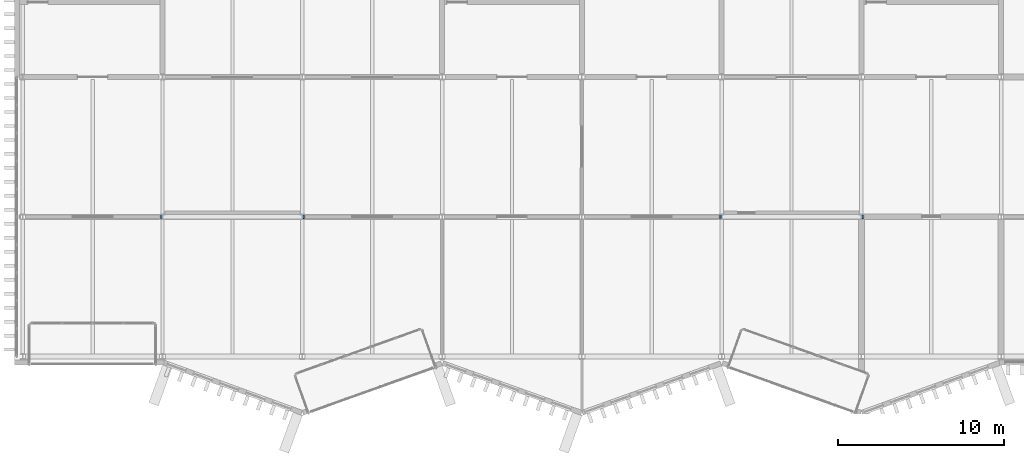
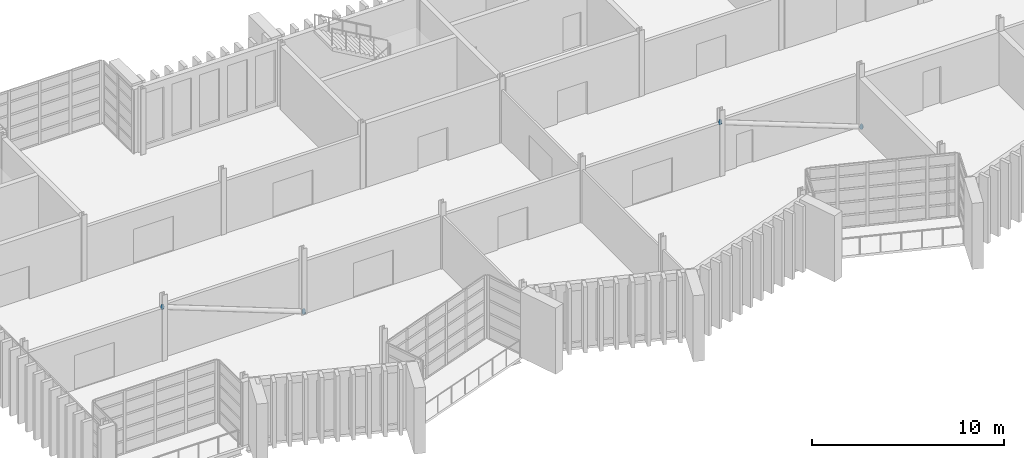
# One storey, part 82 of 100: 4 discrete accessories.
"""IFC4 building model written with IfcOpenShell, lengths in metres."""

from ifc_helpers import new_model, si_unit, direction, frame, origin, origin_2d, place, context, subcontext, project, spatial, circle, extrude, material, layer, layer_set, type_object, element, save


model = new_model("IFC4")

# Units and contexts
model_context = context("Model", 3, precision=1e-05, world=origin(), true_north=direction((0.0, 1.0)))
body_context = subcontext(model_context, "Body", "Model", "MODEL_VIEW")
ifc_project = project(units=[si_unit("LENGTHUNIT", "METRE"), si_unit("AREAUNIT", "SQUARE_METRE"), si_unit("VOLUMEUNIT", "CUBIC_METRE"), si_unit("PLANEANGLEUNIT", "RADIAN"), si_unit("MASSUNIT", "GRAM", prefix="KILO")], contexts=[model_context])

# Site, building, storey
site_placement = place(None, origin())
site = spatial("IfcSite", under=ifc_project, at=site_placement, CompositionType="ELEMENT")
building_placement = place(site_placement, origin())
building = spatial("IfcBuilding", under=site, at=building_placement, Name="Cresset Court Congress Hotel", CompositionType="ELEMENT")
storey_placement = place(building_placement, frame((0.0, 0.0, 10.199951171875)))
storey = spatial("IfcBuildingStorey", under=building, at=storey_placement, Name="L02", CompositionType="ELEMENT", Elevation=10.199951171875)

# Discrete accessories
ifc_material = material(Name="Structural steel Q355B", Category="steel")
ifc_layer = layer(ifc_material, 0.01611328125)
ifc_layer_set = layer_set([ifc_layer], Name="Brace end gusset 273x16")
discrete_accessory_type = type_object("IfcDiscreteAccessoryType", Name="Brace end gusset 273x16", PredefinedType="BRACKET", material=ifc_layer_set)
discrete_accessory_1_placement = place(storey_placement, frame((16.75, 8.39990234375, 3.360107421875), z_axis=(-0.935697286394, 0.0, 0.35280389487), x_axis=(0.0, -1.0, 0.0)))
element("IfcDiscreteAccessory", 1, at=discrete_accessory_1_placement, inside=storey, type_object=discrete_accessory_type, Name="Brace end gusset L02 3-1", PredefinedType="BRACKET", context=body_context, shape_type="SweptSolid", body=[
    extrude(circle(Radius=0.156494140625, at=origin_2d()), origin(), (0.0, 0.0, 1.0), 0.015869140625),
])
discrete_accessory_2_placement = place(storey_placement, frame((25.25, 8.39990234375, 0.10009765625), z_axis=(0.930565951697, 0.0, -0.366124308865), x_axis=(0.0, 1.0, 0.0)))
element("IfcDiscreteAccessory", 2, at=discrete_accessory_2_placement, inside=storey, type_object=discrete_accessory_type, Name="Brace end gusset L02 3-2", PredefinedType="BRACKET", context=body_context, shape_type="SweptSolid", body=[
    extrude(circle(Radius=0.156494140625, at=origin_2d()), origin(), (0.0, 0.0, 1.0), 0.01611328125),
])
discrete_accessory_3_placement = place(storey_placement, frame((50.35009765625, 8.39990234375, 3.360107421875), z_axis=(-0.935697286394, 0.0, 0.35280389487), x_axis=(0.0, -1.0, 0.0)))
element("IfcDiscreteAccessory", 3, at=discrete_accessory_3_placement, inside=storey, type_object=discrete_accessory_type, Name="Brace end gusset L02 7-1", PredefinedType="BRACKET", context=body_context, shape_type="SweptSolid", body=[
    extrude(circle(Radius=0.156494140625, at=origin_2d()), origin(), (0.0, 0.0, 1.0), 0.015869140625),
])
discrete_accessory_4_placement = place(storey_placement, frame((58.85009765625, 8.39990234375, 0.10009765625), z_axis=(0.930565951697, 0.0, -0.366124308865), x_axis=(0.0, 1.0, 0.0)))
element("IfcDiscreteAccessory", 4, at=discrete_accessory_4_placement, inside=storey, type_object=discrete_accessory_type, Name="Brace end gusset L02 7-2", PredefinedType="BRACKET", context=body_context, shape_type="SweptSolid", body=[
    extrude(circle(Radius=0.156494140625, at=origin_2d()), origin(), (0.0, 0.0, 1.0), 0.01611328125),
])

save(model, "model.ifc")
